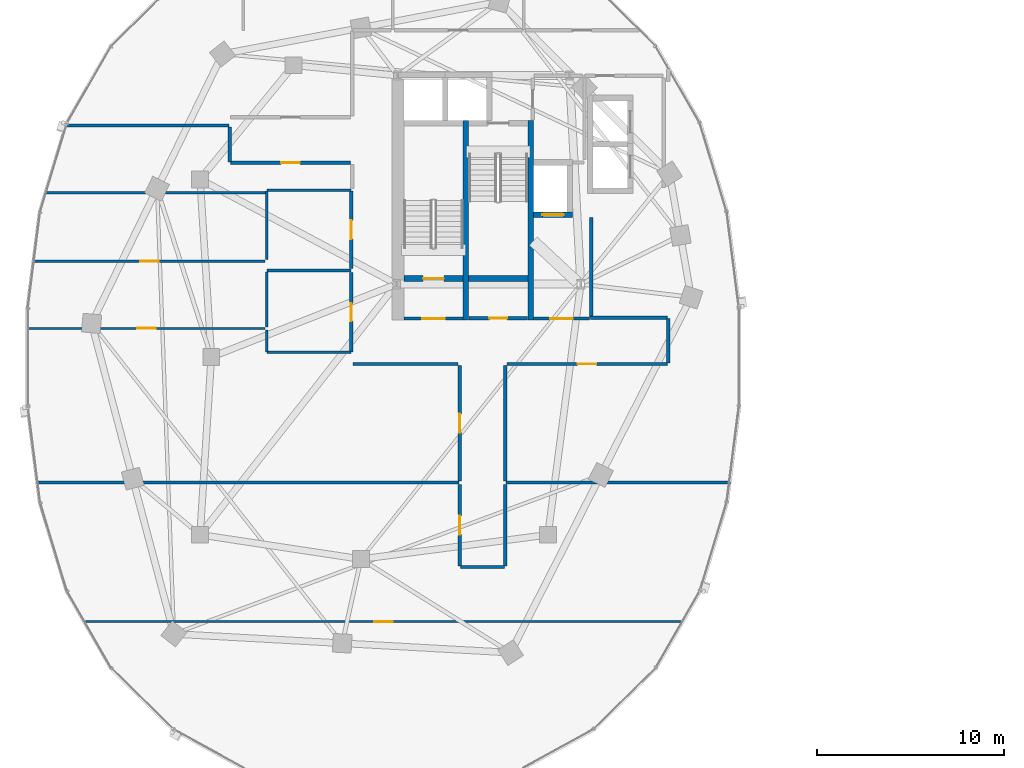
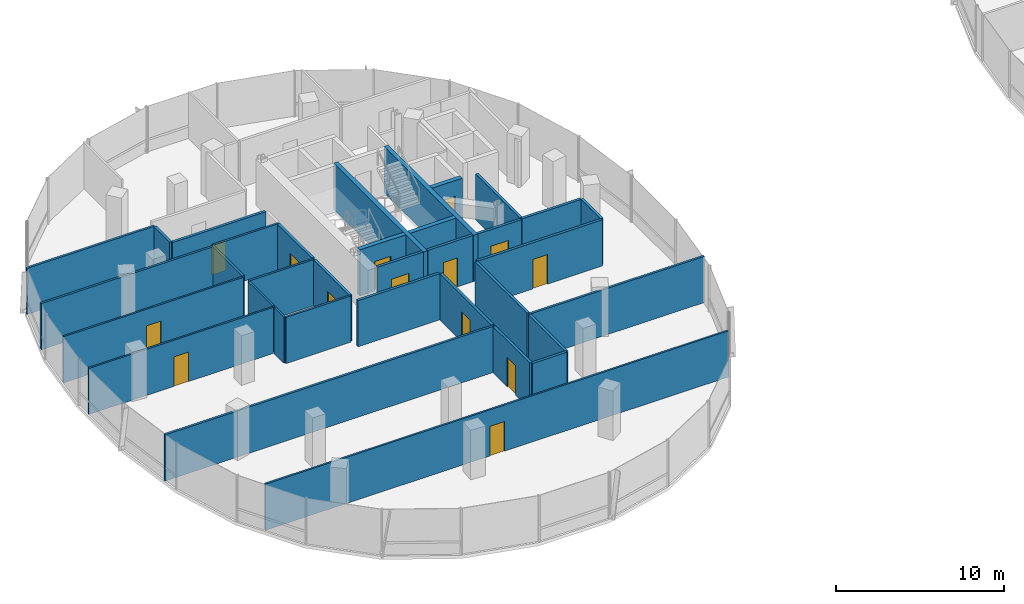
# One storey, part 12 of 23: 35 walls, 14 doors, 14 openings.
"""IFC4 building model written with IfcOpenShell, lengths in metres."""

from ifc_helpers import new_model, si_unit, direction, frame, frame_2d, origin, place, context, subcontext, project, spatial, rectangle, extrude, material, layer, layer_set, type_object, element, fill, save


model = new_model("IFC4")

# Units and contexts
model_context = context("Model", 3, precision=1e-05, world=origin(), true_north=direction((0.0, 1.0)))
body_context = subcontext(model_context, "Body", "Model", "MODEL_VIEW")
ifc_project = project(units=[si_unit("LENGTHUNIT", "METRE"), si_unit("AREAUNIT", "SQUARE_METRE"), si_unit("VOLUMEUNIT", "CUBIC_METRE"), si_unit("PLANEANGLEUNIT", "RADIAN"), si_unit("MASSUNIT", "GRAM", prefix="KILO"), si_unit("THERMODYNAMICTEMPERATUREUNIT", "KELVIN"), si_unit("POWERUNIT", "WATT")], contexts=[model_context])

# Site, building, storey
site_placement = place(None, origin())
site = spatial("IfcSite", under=ifc_project, at=site_placement, CompositionType="ELEMENT")
building_placement = place(site_placement, origin())
building = spatial("IfcBuilding", under=site, at=building_placement, Name="Cundina Bronze Exchange", CompositionType="ELEMENT")
storey_placement = place(building_placement, frame((0.0, 0.0, 176.39990234375)))
storey = spatial("IfcBuildingStorey", under=building, at=storey_placement, Name="L46", CompositionType="ELEMENT", Elevation=176.39990234375)

# Wall
ifc_material_1 = material(Name="Gypsum Fireboard Partition EI120")
ifc_layer_1 = layer(ifc_material_1, 0.179931640625, Name="Gypsum Fireboard Partition EI120")
ifc_layer_set_1 = layer_set([ifc_layer_1], Name="Gypsum Fireboard Partition EI120")
wall_type_1 = type_object("IfcWallType", Name="WL-COR-180", PredefinedType="PARTITIONING", material=ifc_layer_set_1)
wall_1_placement = place(storey_placement, frame((-20.889892578125, 2.14990234375, 0.0), z_axis=(0.0, 0.0, 1.0), x_axis=(0.0, 1.0, 0.0)))
element("IfcWall", 1, at=wall_1_placement, inside=storey, type_object=wall_type_1, Name="L46 W Firefighting Lobby Side Wall", PredefinedType="PARTITIONING", context=body_context, shape_type="SweptSolid", body=[
    extrude(rectangle(XDim=5.300048828125, YDim=0.179931640625, at=frame_2d((2.64990234375, 0.0))), origin(), (0.0, 0.0, 1.0), 3.360107421875),
])

# Wall, opening, door
wall_2_placement = place(storey_placement, frame((-23.97998046875, 2.06005859375, 0.0), z_axis=(0.0, 0.0, 1.0), x_axis=(1.0, 0.0, 0.0)))
wall_2 = element("IfcWall", 2, at=wall_2_placement, inside=storey, type_object=wall_type_1, Name="L46 W Firefighting Lobby Exit Wall", PredefinedType="PARTITIONING", context=body_context, shape_type="SweptSolid", body=[
    extrude(rectangle(XDim=3.0, YDim=0.179931640625, at=frame_2d((1.5, 0.0))), origin(), (0.0, 0.0, 1.0), 3.360107421875),
])
opening_1_placement = place(wall_2_placement, frame((0.89990234375, 0.0, 0.0)))
opening_1 = element("IfcOpeningElement", 3, at=opening_1_placement, cuts=wall_2, Name="Opening DF-01", PredefinedType="OPENING", context=body_context, shape_type="SweptSolid", body=[
    extrude(rectangle(XDim=1.199951171875, YDim=2.14990234375, at=frame_2d((0.60009765625, 1.074951171875))), frame((0.0, 0.099853515625, 0.0), z_axis=(0.0, -1.0, 0.0), x_axis=(1.0, 0.0, 0.0)), (0.0, 0.0, 1.0), 0.199951171875),
])
ifc_material_2 = material(Name="Steel ASTM A36 Painted", Category="steel")
door_type_1 = type_object("IfcDoorType", Name="DR-FFL-1200", OperationType="NOTDEFINED", PredefinedType="DOOR", material=ifc_material_2)
door_1_placement = place(opening_1_placement, origin())
door_1 = element("IfcDoor", 4, at=door_1_placement, inside=storey, type_object=door_type_1, Name="L46 W Firefighting Lobby Door", OperationType="SINGLE_SWING_RIGHT", OverallHeight=2.14990234375, OverallWidth=1.199951171875, PredefinedType="DOOR", context=body_context, shape_type="SweptSolid", body=[
    extrude(rectangle(XDim=1.199951171875, YDim=2.14990234375, at=frame_2d((0.60009765625, 1.074951171875))), frame((0.0, 0.02490234375, 0.0), z_axis=(0.0, -1.0, 0.0), x_axis=(1.0, 0.0, 0.0)), (0.0, 0.0, 1.0), 0.050048828125),
])
fill(opening_1, door_1)

wall_3_placement = place(storey_placement, frame((-30.89990234375, 2.06005859375, 0.0), z_axis=(0.0, 0.0, 1.0), x_axis=(1.0, 0.0, 0.0)))
wall_3 = element("IfcWall", 5, at=wall_3_placement, inside=storey, type_object=wall_type_1, Name="L46 W Stair Vestibule Exit Wall", PredefinedType="PARTITIONING", context=body_context, shape_type="SweptSolid", body=[
    extrude(rectangle(XDim=3.159912109375, YDim=0.179931640625, at=frame_2d((1.580078125, 0.0))), origin(), (0.0, 0.0, 1.0), 3.360107421875),
])
opening_2_placement = place(wall_3_placement, frame((0.97998046875, 0.0, 0.0)))
opening_2 = element("IfcOpeningElement", 6, at=opening_2_placement, cuts=wall_3, Name="Opening DF-01", PredefinedType="OPENING", context=body_context, shape_type="SweptSolid", body=[
    extrude(rectangle(XDim=1.199951171875, YDim=2.14990234375, at=frame_2d((0.60009765625, 1.074951171875))), frame((0.0, 0.099853515625, 0.0), z_axis=(0.0, -1.0, 0.0), x_axis=(1.0, 0.0, 0.0)), (0.0, 0.0, 1.0), 0.199951171875),
])
door_2_placement = place(opening_2_placement, origin())
door_2 = element("IfcDoor", 7, at=door_2_placement, inside=storey, type_object=door_type_1, Name="L46 W Stair Vestibule Door", OperationType="SINGLE_SWING_LEFT", OverallHeight=2.14990234375, OverallWidth=1.199951171875, PredefinedType="DOOR", context=body_context, shape_type="SweptSolid", body=[
    extrude(rectangle(XDim=1.199951171875, YDim=2.14990234375, at=frame_2d((0.60009765625, 1.074951171875))), frame((0.0, 0.02490234375, 0.0), z_axis=(0.0, -1.0, 0.0), x_axis=(1.0, 0.0, 0.0)), (0.0, 0.0, 1.0), 0.050048828125),
])
fill(opening_2, door_2)

wall_4_placement = place(storey_placement, frame((-27.419921875, 2.070068359375, 0.0), z_axis=(0.0, 0.0, 1.0), x_axis=(1.0, 0.0, 0.0)))
wall_4 = element("IfcWall", 8, at=wall_4_placement, inside=storey, type_object=wall_type_1, Name="L46 Interior Partition 007", PredefinedType="PARTITIONING", context=body_context, shape_type="SweptSolid", body=[
    extrude(rectangle(XDim=3.119873046875, YDim=0.179931640625, at=frame_2d((1.56005859375, 0.0))), origin(), (0.0, 0.0, 1.0), 3.360107421875),
])
opening_3_placement = place(wall_4_placement, frame((1.0849609375, 0.0, 0.0)))
opening_3 = element("IfcOpeningElement", 9, at=opening_3_placement, cuts=wall_4, Name="Opening DW-01", PredefinedType="OPENING", context=body_context, shape_type="SweptSolid", body=[
    extrude(rectangle(XDim=0.949951171875, YDim=2.10009765625, at=frame_2d((0.47509765625, 1.050048828125))), frame((0.0, 0.099853515625, 0.0), z_axis=(0.0, -1.0, 0.0), x_axis=(1.0, 0.0, 0.0)), (0.0, 0.0, 1.0), 0.199951171875),
])
ifc_material_3 = material(Name="Solid Andean Oak Timber Grade A", Category="wood")
door_type_2 = type_object("IfcDoorType", Name="DR-WC-950", OperationType="NOTDEFINED", PredefinedType="DOOR", material=ifc_material_3)
door_3_placement = place(opening_3_placement, origin())
door_3 = element("IfcDoor", 10, at=door_3_placement, inside=storey, type_object=door_type_2, Name="L46 Interior Door 007", OperationType="SINGLE_SWING_LEFT", OverallHeight=2.10009765625, OverallWidth=0.949951171875, PredefinedType="DOOR", context=body_context, shape_type="SweptSolid", body=[
    extrude(rectangle(XDim=0.949951171875, YDim=2.10009765625, at=frame_2d((0.47509765625, 1.050048828125))), frame((0.0, 0.02490234375, 0.0), z_axis=(0.0, -1.0, 0.0), x_axis=(1.0, 0.0, 0.0)), (0.0, 0.0, 1.0), 0.050048828125),
])
fill(opening_3, door_3)

wall_5_placement = place(storey_placement, frame((-33.719970703125, 0.27001953125, 0.0), z_axis=(0.0, 0.0, 1.0), x_axis=(0.0, 1.0, 0.0)))
wall_5 = element("IfcWall", 11, at=wall_5_placement, inside=storey, type_object=wall_type_1, Name="L46 Interior Partition 015", PredefinedType="PARTITIONING", context=body_context, shape_type="SweptSolid", body=[
    extrude(rectangle(XDim=4.260009765625, YDim=0.179931640625, at=frame_2d((2.1298828125, 0.0))), origin(), (0.0, 0.0, 1.0), 3.360107421875),
])
opening_4_placement = place(wall_5_placement, frame((1.655029296875, 0.0, 0.0)))
opening_4 = element("IfcOpeningElement", 12, at=opening_4_placement, cuts=wall_5, Name="Opening DW-01", PredefinedType="OPENING", context=body_context, shape_type="SweptSolid", body=[
    extrude(rectangle(XDim=0.949951171875, YDim=2.10009765625, at=frame_2d((0.47509765625, 1.050048828125))), frame((0.0, 0.099853515625, 0.0), z_axis=(0.0, -1.0, 0.0), x_axis=(1.0, 0.0, 0.0)), (0.0, 0.0, 1.0), 0.199951171875),
])
door_4_placement = place(opening_4_placement, origin())
door_4 = element("IfcDoor", 13, at=door_4_placement, inside=storey, type_object=door_type_2, Name="L46 Interior Door 015", OperationType="SINGLE_SWING_LEFT", OverallHeight=2.10009765625, OverallWidth=0.949951171875, PredefinedType="DOOR", context=body_context, shape_type="SweptSolid", body=[
    extrude(rectangle(XDim=0.949951171875, YDim=2.10009765625, at=frame_2d((0.47509765625, 1.050048828125))), frame((0.0, 0.02490234375, 0.0), z_axis=(0.0, -1.0, 0.0), x_axis=(1.0, 0.0, 0.0)), (0.0, 0.0, 1.0), 0.050048828125),
])
fill(opening_4, door_4)

wall_6_placement = place(storey_placement, frame((-33.719970703125, 4.72998046875, 0.0), z_axis=(0.0, 0.0, 1.0), x_axis=(0.0, 1.0, 0.0)))
wall_6 = element("IfcWall", 14, at=wall_6_placement, inside=storey, type_object=wall_type_1, Name="L46 Interior Partition 016", PredefinedType="PARTITIONING", context=body_context, shape_type="SweptSolid", body=[
    extrude(rectangle(XDim=4.159912109375, YDim=0.179931640625, at=frame_2d((2.080078125, 0.0))), origin(), (0.0, 0.0, 1.0), 3.360107421875),
])
opening_5_placement = place(wall_6_placement, frame((1.580078125, 0.0, 0.0)))
opening_5 = element("IfcOpeningElement", 15, at=opening_5_placement, cuts=wall_6, Name="Opening DO-01", PredefinedType="OPENING", context=body_context, shape_type="SweptSolid", body=[
    extrude(rectangle(XDim=1.0, YDim=2.14990234375, at=frame_2d((0.5, 1.074951171875))), frame((0.0, 0.099853515625, 0.0), z_axis=(0.0, -1.0, 0.0), x_axis=(1.0, 0.0, 0.0)), (0.0, 0.0, 1.0), 0.199951171875),
])
door_type_3 = type_object("IfcDoorType", Name="DR-OFF-1000", OperationType="NOTDEFINED", PredefinedType="DOOR", material=ifc_material_3)
door_5_placement = place(opening_5_placement, origin())
door_5 = element("IfcDoor", 16, at=door_5_placement, inside=storey, type_object=door_type_3, Name="L46 Interior Door 016", OperationType="SINGLE_SWING_LEFT", OverallHeight=2.14990234375, OverallWidth=1.0, PredefinedType="DOOR", context=body_context, shape_type="SweptSolid", body=[
    extrude(rectangle(XDim=1.0, YDim=2.14990234375, at=frame_2d((0.5, 1.074951171875))), frame((0.0, 0.02490234375, 0.0), z_axis=(0.0, -1.0, 0.0), x_axis=(1.0, 0.0, 0.0)), (0.0, 0.0, 1.0), 0.050048828125),
])
fill(opening_5, door_5)

wall_7_placement = place(storey_placement, frame((-27.919921875, -6.800048828125, 0.0), z_axis=(0.0, 0.0, 1.0), x_axis=(0.0, -1.0, 0.0)))
wall_7 = element("IfcWall", 17, at=wall_7_placement, inside=storey, type_object=wall_type_1, Name="L46 Interior Partition 024", PredefinedType="PARTITIONING", context=body_context, shape_type="SweptSolid", body=[
    extrude(rectangle(XDim=4.37841796875, YDim=0.179931640625, at=frame_2d((2.189208984375, 0.0))), origin(), (0.0, 0.0, 1.0), 3.360107421875),
])
opening_6_placement = place(wall_7_placement, frame((1.689208984375, 0.0, 0.0)))
opening_6 = element("IfcOpeningElement", 18, at=opening_6_placement, cuts=wall_7, Name="Opening DO-01", PredefinedType="OPENING", context=body_context, shape_type="SweptSolid", body=[
    extrude(rectangle(XDim=1.0, YDim=2.14990234375, at=frame_2d((0.5, 1.074951171875))), frame((0.0, 0.099853515625, 0.0), z_axis=(0.0, -1.0, 0.0), x_axis=(1.0, 0.0, 0.0)), (0.0, 0.0, 1.0), 0.199951171875),
])
door_6_placement = place(opening_6_placement, origin())
door_6 = element("IfcDoor", 19, at=door_6_placement, inside=storey, type_object=door_type_3, Name="L46 Interior Door 024", OperationType="SINGLE_SWING_RIGHT", OverallHeight=2.14990234375, OverallWidth=1.0, PredefinedType="DOOR", context=body_context, shape_type="SweptSolid", body=[
    extrude(rectangle(XDim=1.0, YDim=2.14990234375, at=frame_2d((0.5, 1.074951171875))), frame((0.0, 0.02490234375, 0.0), z_axis=(0.0, -1.0, 0.0), x_axis=(1.0, 0.0, 0.0)), (0.0, 0.0, 1.0), 0.050048828125),
])
fill(opening_6, door_6)

# Walls
wall_8_placement = place(storey_placement, frame((-25.47998046875, -11.178466796875, 0.0), z_axis=(0.0, 0.0, 1.0), x_axis=(0.0, 1.0, 0.0)))
element("IfcWall", 20, at=wall_8_placement, inside=storey, type_object=wall_type_1, Name="L46 Interior Partition 025", PredefinedType="PARTITIONING", context=body_context, shape_type="SweptSolid", body=[
    extrude(rectangle(XDim=4.37841796875, YDim=0.179931640625, at=frame_2d((2.189208984375, 0.0))), origin(), (0.0, 0.0, 1.0), 3.360107421875),
])
wall_9_placement = place(storey_placement, frame((-27.87841796875, -11.219970703125, 0.0), z_axis=(0.0, 0.0, 1.0), x_axis=(1.0, 0.0, 0.0)))
element("IfcWall", 21, at=wall_9_placement, inside=storey, type_object=wall_type_1, Name="L46 Interior Partition 026", PredefinedType="PARTITIONING", context=body_context, shape_type="SweptSolid", body=[
    extrude(rectangle(XDim=2.35693359375, YDim=0.179931640625, at=frame_2d((1.178466796875, 0.0))), origin(), (0.0, 0.0, 1.0), 3.360107421875),
])

# Wall, opening, door
wall_10_placement = place(storey_placement, frame((-27.919921875, -0.449951171875, 0.0), z_axis=(0.0, 0.0, 1.0), x_axis=(0.0, -1.0, 0.0)))
wall_10 = element("IfcWall", 22, at=wall_10_placement, inside=storey, type_object=wall_type_1, Name="L46 Interior Partition 027", PredefinedType="PARTITIONING", context=body_context, shape_type="SweptSolid", body=[
    extrude(rectangle(XDim=6.170166015625, YDim=0.179931640625, at=frame_2d((3.0849609375, 0.0))), origin(), (0.0, 0.0, 1.0), 3.360107421875),
])
opening_7_placement = place(wall_10_placement, frame((2.5849609375, 0.0, 0.0)))
opening_7 = element("IfcOpeningElement", 23, at=opening_7_placement, cuts=wall_10, Name="Opening DO-01", PredefinedType="OPENING", context=body_context, shape_type="SweptSolid", body=[
    extrude(rectangle(XDim=1.0, YDim=2.14990234375, at=frame_2d((0.5, 1.074951171875))), frame((0.0, 0.099853515625, 0.0), z_axis=(0.0, -1.0, 0.0), x_axis=(1.0, 0.0, 0.0)), (0.0, 0.0, 1.0), 0.199951171875),
])
door_7_placement = place(opening_7_placement, origin())
door_7 = element("IfcDoor", 24, at=door_7_placement, inside=storey, type_object=door_type_3, Name="L46 Interior Door 027", OperationType="SINGLE_SWING_RIGHT", OverallHeight=2.14990234375, OverallWidth=1.0, PredefinedType="DOOR", context=body_context, shape_type="SweptSolid", body=[
    extrude(rectangle(XDim=1.0, YDim=2.14990234375, at=frame_2d((0.5, 1.074951171875))), frame((0.0, 0.02490234375, 0.0), z_axis=(0.0, -1.0, 0.0), x_axis=(1.0, 0.0, 0.0)), (0.0, 0.0, 1.0), 0.050048828125),
])
fill(opening_7, door_7)

# Wall
wall_11_placement = place(storey_placement, frame((-33.62841796875, -0.3701171875, 0.0), z_axis=(0.0, 0.0, 1.0), x_axis=(1.0, 0.0, 0.0)))
element("IfcWall", 25, at=wall_11_placement, inside=storey, type_object=wall_type_1, Name="L46 Interior Partition 028", PredefinedType="PARTITIONING", context=body_context, shape_type="SweptSolid", body=[
    extrude(rectangle(XDim=5.62841796875, YDim=0.179931640625, at=frame_2d((2.814208984375, 0.0))), origin(), (0.0, 0.0, 1.0), 3.360107421875),
])

# Wall, opening, door
wall_12_placement = place(storey_placement, frame((-25.39990234375, -0.3701171875, 0.0), z_axis=(0.0, 0.0, 1.0), x_axis=(1.0, 0.0, 0.0)))
wall_12 = element("IfcWall", 26, at=wall_12_placement, inside=storey, type_object=wall_type_1, Name="L46 Interior Partition 029", PredefinedType="PARTITIONING", context=body_context, shape_type="SweptSolid", body=[
    extrude(rectangle(XDim=8.578369140625, YDim=0.179931640625, at=frame_2d((4.2890625, 0.0))), origin(), (0.0, 0.0, 1.0), 3.360107421875),
])
opening_8_placement = place(wall_12_placement, frame((3.789306640625, 0.0, 0.0)))
opening_8 = element("IfcOpeningElement", 27, at=opening_8_placement, cuts=wall_12, Name="Opening DO-01", PredefinedType="OPENING", context=body_context, shape_type="SweptSolid", body=[
    extrude(rectangle(XDim=1.0, YDim=2.14990234375, at=frame_2d((0.5, 1.074951171875))), frame((0.0, 0.099853515625, 0.0), z_axis=(0.0, -1.0, 0.0), x_axis=(1.0, 0.0, 0.0)), (0.0, 0.0, 1.0), 0.199951171875),
])
door_8_placement = place(opening_8_placement, origin())
door_8 = element("IfcDoor", 28, at=door_8_placement, inside=storey, type_object=door_type_3, Name="L46 Interior Door 029", OperationType="SINGLE_SWING_LEFT", OverallHeight=2.14990234375, OverallWidth=1.0, PredefinedType="DOOR", context=body_context, shape_type="SweptSolid", body=[
    extrude(rectangle(XDim=1.0, YDim=2.14990234375, at=frame_2d((0.5, 1.074951171875))), frame((0.0, 0.02490234375, 0.0), z_axis=(0.0, -1.0, 0.0), x_axis=(1.0, 0.0, 0.0)), (0.0, 0.0, 1.0), 0.050048828125),
])
fill(opening_8, door_8)

# Walls
wall_13_placement = place(storey_placement, frame((-25.47998046875, -6.6201171875, 0.0), z_axis=(0.0, 0.0, 1.0), x_axis=(0.0, 1.0, 0.0)))
element("IfcWall", 29, at=wall_13_placement, inside=storey, type_object=wall_type_1, Name="L46 Interior Partition 030", PredefinedType="PARTITIONING", context=body_context, shape_type="SweptSolid", body=[
    extrude(rectangle(XDim=6.170166015625, YDim=0.179931640625, at=frame_2d((3.0849609375, 0.0))), origin(), (0.0, 0.0, 1.0), 3.360107421875),
])
wall_14_placement = place(storey_placement, frame((-16.821533203125, 2.10009765625, 0.0), z_axis=(0.0, 0.0, 1.0), x_axis=(-1.0, 0.0, 0.0)))
element("IfcWall", 30, at=wall_14_placement, inside=storey, type_object=wall_type_1, Name="L46 Interior Partition 031", PredefinedType="PARTITIONING", context=body_context, shape_type="SweptSolid", body=[
    extrude(rectangle(XDim=4.098388671875, YDim=0.179931640625, at=frame_2d((2.04931640625, 0.0))), origin(), (0.0, 0.0, 1.0), 3.360107421875),
])
wall_15_placement = place(storey_placement, frame((-16.780029296875, -0.32861328125, 0.0), z_axis=(0.0, 0.0, 1.0), x_axis=(0.0, 1.0, 0.0)))
element("IfcWall", 31, at=wall_15_placement, inside=storey, type_object=wall_type_1, Name="L46 Interior Partition 032", PredefinedType="PARTITIONING", context=body_context, shape_type="SweptSolid", body=[
    extrude(rectangle(XDim=2.38720703125, YDim=0.179931640625, at=frame_2d((1.193603515625, 0.0))), origin(), (0.0, 0.0, 1.0), 3.360107421875),
])

# Wall, opening, door
wall_16_placement = place(storey_placement, frame((-40.178466796875, 10.3798828125, 0.0), z_axis=(0.0, 0.0, 1.0), x_axis=(1.0, 0.0, 0.0)))
wall_16 = element("IfcWall", 32, at=wall_16_placement, inside=storey, type_object=wall_type_1, Name="L46 Interior Partition 034", PredefinedType="PARTITIONING", context=body_context, shape_type="SweptSolid", body=[
    extrude(rectangle(XDim=6.428466796875, YDim=0.179931640625, at=frame_2d((3.21435546875, 0.0))), origin(), (0.0, 0.0, 1.0), 3.360107421875),
])
opening_9_placement = place(wall_16_placement, frame((2.714111328125, 0.0, 0.0)))
opening_9 = element("IfcOpeningElement", 33, at=opening_9_placement, cuts=wall_16, Name="Opening DO-01", PredefinedType="OPENING", context=body_context, shape_type="SweptSolid", body=[
    extrude(rectangle(XDim=1.0, YDim=2.14990234375, at=frame_2d((0.5, 1.074951171875))), frame((0.0, 0.099853515625, 0.0), z_axis=(0.0, -1.0, 0.0), x_axis=(1.0, 0.0, 0.0)), (0.0, 0.0, 1.0), 0.199951171875),
])
door_9_placement = place(opening_9_placement, origin())
door_9 = element("IfcDoor", 34, at=door_9_placement, inside=storey, type_object=door_type_3, Name="L46 Interior Door 034", OperationType="SINGLE_SWING_RIGHT", OverallHeight=2.14990234375, OverallWidth=1.0, PredefinedType="DOOR", context=body_context, shape_type="SweptSolid", body=[
    extrude(rectangle(XDim=1.0, YDim=2.14990234375, at=frame_2d((0.5, 1.074951171875))), frame((0.0, 0.02490234375, 0.0), z_axis=(0.0, -1.0, 0.0), x_axis=(1.0, 0.0, 0.0)), (0.0, 0.0, 1.0), 0.050048828125),
])
fill(opening_9, door_9)

# Wall
wall_17_placement = place(storey_placement, frame((-40.219970703125, 12.2900390625, 0.0), z_axis=(0.0, 0.0, 1.0), x_axis=(0.0, -1.0, 0.0)))
element("IfcWall", 35, at=wall_17_placement, inside=storey, type_object=wall_type_1, Name="L46 Interior Partition 035", PredefinedType="PARTITIONING", context=body_context, shape_type="SweptSolid", body=[
    extrude(rectangle(XDim=1.86865234375, YDim=0.179931640625, at=frame_2d((0.934326171875, 0.0))), origin(), (0.0, 0.0, 1.0), 3.360107421875),
])

# Wall, opening, door
ifc_material_4 = material(Name="Gypsum Acoustic Partition EI60")
ifc_layer_2 = layer(ifc_material_4, 0.125, Name="Gypsum Acoustic Partition EI60")
ifc_layer_set_2 = layer_set([ifc_layer_2], Name="Gypsum Acoustic Partition EI60")
wall_type_2 = type_object("IfcWallType", Name="WL-OFF-125", PredefinedType="PARTITIONING", material=ifc_layer_set_2)
wall_18_placement = place(storey_placement, frame((-47.929931640625, -14.139892578125, 0.0), z_axis=(0.0, 0.0, 1.0), x_axis=(1.0, 0.0, 0.0)))
wall_18 = element("IfcWall", 36, at=wall_18_placement, inside=storey, type_object=wall_type_2, Name="L46 Interior Partition 042", PredefinedType="PARTITIONING", context=body_context, shape_type="SweptSolid", body=[
    extrude(rectangle(XDim=31.85986328125, YDim=0.125, at=frame_2d((15.929931640625, 0.0))), origin(), (0.0, 0.0, 1.0), 3.360107421875),
])
opening_10_placement = place(wall_18_placement, frame((15.429931640625, 0.0, 0.0)))
opening_10 = element("IfcOpeningElement", 37, at=opening_10_placement, cuts=wall_18, Name="Opening DO-01", PredefinedType="OPENING", context=body_context, shape_type="SweptSolid", body=[
    extrude(rectangle(XDim=1.0, YDim=2.14990234375, at=frame_2d((0.5, 1.074951171875))), frame((0.0, 0.072509765625, 0.0), z_axis=(0.0, -1.0, 0.0), x_axis=(1.0, 0.0, 0.0)), (0.0, 0.0, 1.0), 0.14501953125),
])
door_10_placement = place(opening_10_placement, origin())
door_10 = element("IfcDoor", 38, at=door_10_placement, inside=storey, type_object=door_type_3, Name="L46 Interior Door 042", OperationType="SINGLE_SWING_RIGHT", OverallHeight=2.14990234375, OverallWidth=1.0, PredefinedType="DOOR", context=body_context, shape_type="SweptSolid", body=[
    extrude(rectangle(XDim=1.0, YDim=2.14990234375, at=frame_2d((0.5, 1.074951171875))), frame((0.0, 0.02490234375, 0.0), z_axis=(0.0, -1.0, 0.0), x_axis=(1.0, 0.0, 0.0)), (0.0, 0.0, 1.0), 0.050048828125),
])
fill(opening_10, door_10)

wall_19_placement = place(storey_placement, frame((-38.320068359375, 1.530029296875, 0.0), z_axis=(0.0, 0.0, 1.0), x_axis=(-1.0, 0.0, 0.0)))
wall_19 = element("IfcWall", 39, at=wall_19_placement, inside=storey, type_object=wall_type_2, Name="L46 Interior Partition 043", PredefinedType="PARTITIONING", context=body_context, shape_type="SweptSolid", body=[
    extrude(rectangle(XDim=12.701904296875, YDim=0.125, at=frame_2d((6.35107421875, 0.0))), origin(), (0.0, 0.0, 1.0), 3.360107421875),
])
opening_11_placement = place(wall_19_placement, frame((5.85107421875, 0.0, 0.0)))
opening_11 = element("IfcOpeningElement", 40, at=opening_11_placement, cuts=wall_19, Name="Opening DO-01", PredefinedType="OPENING", context=body_context, shape_type="SweptSolid", body=[
    extrude(rectangle(XDim=1.0, YDim=2.14990234375, at=frame_2d((0.5, 1.074951171875))), frame((0.0, 0.072509765625, 0.0), z_axis=(0.0, -1.0, 0.0), x_axis=(1.0, 0.0, 0.0)), (0.0, 0.0, 1.0), 0.14501953125),
])
door_11_placement = place(opening_11_placement, origin())
door_11 = element("IfcDoor", 41, at=door_11_placement, inside=storey, type_object=door_type_3, Name="L46 Interior Door 043", OperationType="SINGLE_SWING_RIGHT", OverallHeight=2.14990234375, OverallWidth=1.0, PredefinedType="DOOR", context=body_context, shape_type="SweptSolid", body=[
    extrude(rectangle(XDim=1.0, YDim=2.14990234375, at=frame_2d((0.5, 1.074951171875))), frame((0.0, 0.02490234375, 0.0), z_axis=(0.0, -1.0, 0.0), x_axis=(1.0, 0.0, 0.0)), (0.0, 0.0, 1.0), 0.050048828125),
])
fill(opening_11, door_11)

wall_20_placement = place(storey_placement, frame((-38.320068359375, 5.1298828125, 0.0), z_axis=(0.0, 0.0, 1.0), x_axis=(-1.0, 0.0, 0.0)))
wall_20 = element("IfcWall", 42, at=wall_20_placement, inside=storey, type_object=wall_type_2, Name="L46 Interior Partition 044", PredefinedType="PARTITIONING", context=body_context, shape_type="SweptSolid", body=[
    extrude(rectangle(XDim=12.36865234375, YDim=0.125, at=frame_2d((6.184326171875, 0.0))), origin(), (0.0, 0.0, 1.0), 3.360107421875),
])
opening_12_placement = place(wall_20_placement, frame((5.684326171875, 0.0, 0.0)))
opening_12 = element("IfcOpeningElement", 43, at=opening_12_placement, cuts=wall_20, Name="Opening DO-01", PredefinedType="OPENING", context=body_context, shape_type="SweptSolid", body=[
    extrude(rectangle(XDim=1.0, YDim=2.14990234375, at=frame_2d((0.5, 1.074951171875))), frame((0.0, 0.072509765625, 0.0), z_axis=(0.0, -1.0, 0.0), x_axis=(1.0, 0.0, 0.0)), (0.0, 0.0, 1.0), 0.14501953125),
])
door_12_placement = place(opening_12_placement, origin())
door_12 = element("IfcDoor", 44, at=door_12_placement, inside=storey, type_object=door_type_3, Name="L46 Interior Door 044", OperationType="SINGLE_SWING_RIGHT", OverallHeight=2.14990234375, OverallWidth=1.0, PredefinedType="DOOR", context=body_context, shape_type="SweptSolid", body=[
    extrude(rectangle(XDim=1.0, YDim=2.14990234375, at=frame_2d((0.5, 1.074951171875))), frame((0.0, 0.02490234375, 0.0), z_axis=(0.0, -1.0, 0.0), x_axis=(1.0, 0.0, 0.0)), (0.0, 0.0, 1.0), 0.050048828125),
])
fill(opening_12, door_12)

# Walls
ifc_material_5 = material(Name="Concrete C50/60", Category="concrete")
ifc_layer_3 = layer(ifc_material_5, 0.300048828125, Name="Concrete C50/60", Category="concrete")
ifc_layer_set_3 = layer_set([ifc_layer_3], Name="Concrete C50/60")
wall_type_3 = type_object("IfcWallType", Name="WL-SHFT-300", PredefinedType="SHEAR", material=ifc_layer_set_3)
for number, where, z_axis, x_axis, name in (
    (45, (-27.590087890625, 1.969970703125, 0.0), (0.0, 0.0, 1.0), (0.0, 1.0, 0.0), "L46 W Stair Shaft Dividing Shear Wall"),
    (46, (-24.1298828125, 1.969970703125, 0.0), (0.0, 0.0, 1.0), (0.0, 1.0, 0.0), "L46 W Stair 2 East Shear Wall"),
):
    element("IfcWall", number, at=place(storey_placement, frame(where, z_axis=z_axis, x_axis=x_axis)), inside=storey, type_object=wall_type_3, Name=name, PredefinedType="SHEAR", context=body_context, shape_type="SweptSolid", body=[
        extrude(rectangle(XDim=10.679931640625, YDim=0.300048828125, at=frame_2d((5.33984375, 0.0))), origin(), (0.0, 0.0, 1.0), 3.360107421875),
    ])

# Wall, opening, door
wall_21_placement = place(storey_placement, frame((-30.89990234375, 4.199951171875, 0.0), z_axis=(0.0, 0.0, 1.0), x_axis=(1.0, 0.0, 0.0)))
wall_21 = element("IfcWall", 47, at=wall_21_placement, inside=storey, type_object=wall_type_3, Name="L46 Stair W1 Landing Wall", PredefinedType="SHEAR", context=body_context, shape_type="SweptSolid", body=[
    extrude(rectangle(XDim=3.159912109375, YDim=0.300048828125, at=frame_2d((1.580078125, 0.0))), origin(), (0.0, 0.0, 1.0), 3.360107421875),
])
opening_13_placement = place(wall_21_placement, frame((1.030029296875, 0.0, 0.0)))
opening_13 = element("IfcOpeningElement", 48, at=opening_13_placement, cuts=wall_21, Name="Opening DS-01", PredefinedType="OPENING", context=body_context, shape_type="SweptSolid", body=[
    extrude(rectangle(XDim=1.10009765625, YDim=2.14990234375, at=frame_2d((0.550048828125, 1.074951171875))), frame((0.0, 0.159912109375, 0.0), z_axis=(0.0, -1.0, 0.0), x_axis=(1.0, 0.0, 0.0)), (0.0, 0.0, 1.0), 0.320068359375),
])
door_type_4 = type_object("IfcDoorType", Name="DR-STR-1100", OperationType="NOTDEFINED", PredefinedType="DOOR", material=ifc_material_2)
door_13_placement = place(opening_13_placement, origin())
door_13 = element("IfcDoor", 49, at=door_13_placement, inside=storey, type_object=door_type_4, Name="L46 Smokeproof Stair W1 Door", OperationType="SINGLE_SWING_RIGHT", OverallHeight=2.14990234375, OverallWidth=1.10009765625, PredefinedType="DOOR", context=body_context, shape_type="SweptSolid", body=[
    extrude(rectangle(XDim=1.10009765625, YDim=2.14990234375, at=frame_2d((0.550048828125, 1.074951171875))), frame((0.0, 0.02490234375, 0.0), z_axis=(0.0, -1.0, 0.0), x_axis=(1.0, 0.0, 0.0)), (0.0, 0.0, 1.0), 0.050048828125),
])
fill(opening_13, door_13)

# Wall
wall_22_placement = place(storey_placement, frame((-27.43994140625, 4.199951171875, 0.0), z_axis=(0.0, 0.0, 1.0), x_axis=(1.0, 0.0, 0.0)))
element("IfcWall", 50, at=wall_22_placement, inside=storey, type_object=wall_type_3, Name="L46 Stair W2 Far Shaft Wall", PredefinedType="SHEAR", context=body_context, shape_type="SweptSolid", body=[
    extrude(rectangle(XDim=3.159912109375, YDim=0.300048828125, at=frame_2d((1.580078125, 0.0))), origin(), (0.0, 0.0, 1.0), 3.360107421875),
])

# Wall, opening, door
wall_23_placement = place(storey_placement, frame((-23.97998046875, 7.60009765625, 0.0), z_axis=(0.0, 0.0, 1.0), x_axis=(1.0, 0.0, 0.0)))
wall_23 = element("IfcWall", 51, at=wall_23_placement, inside=storey, type_object=wall_type_3, Name="L46 FFL-W Hoistway Front Wall", PredefinedType="SHEAR", context=body_context, shape_type="SweptSolid", body=[
    extrude(rectangle(XDim=2.10009765625, YDim=0.300048828125, at=frame_2d((1.050048828125, 0.0))), origin(), (0.0, 0.0, 1.0), 3.360107421875),
])
opening_14_placement = place(wall_23_placement, frame((0.47509765625, 0.0, 0.0)))
opening_14 = element("IfcOpeningElement", 52, at=opening_14_placement, cuts=wall_23, Name="Opening LD-01", PredefinedType="OPENING", context=body_context, shape_type="SweptSolid", body=[
    extrude(rectangle(XDim=1.14990234375, YDim=2.199951171875, at=frame_2d((0.574951171875, 1.10009765625))), frame((0.0, 0.159912109375, 0.0), z_axis=(0.0, -1.0, 0.0), x_axis=(1.0, 0.0, 0.0)), (0.0, 0.0, 1.0), 0.320068359375),
])
door_type_5 = type_object("IfcDoorType", Name="DR-LND-1150", OperationType="NOTDEFINED", PredefinedType="TRAPDOOR", material=ifc_material_2)
door_14_placement = place(opening_14_placement, origin())
door_14 = element("IfcDoor", 53, at=door_14_placement, inside=storey, type_object=door_type_5, Name="L46 FFL-W Sliding Landing Door", OperationType="SLIDING_TO_LEFT", OverallHeight=2.199951171875, OverallWidth=1.14990234375, PredefinedType="TRAPDOOR", context=body_context, shape_type="SweptSolid", body=[
    extrude(rectangle(XDim=1.14990234375, YDim=2.199951171875, at=frame_2d((0.574951171875, 1.10009765625))), frame((0.0, 0.02490234375, 0.0), z_axis=(0.0, -1.0, 0.0), x_axis=(1.0, 0.0, 0.0)), (0.0, 0.0, 1.0), 0.050048828125),
])
fill(opening_14, door_14)

# Walls
ifc_layer_4 = layer(ifc_material_4, 0.14990234375, Name="Gypsum Acoustic Partition EI60")
ifc_layer_set_4 = layer_set([ifc_layer_4], Name="Gypsum Acoustic Partition EI60")
wall_type_4 = type_object("IfcWallType", Name="WL-TEN-150", PredefinedType="PARTITIONING", material=ifc_layer_set_4)
wall_24_placement = place(storey_placement, frame((-50.552978515625, -6.7099609375, 0.0), z_axis=(0.0, 0.0, 1.0), x_axis=(1.0, 0.0, 0.0)))
element("IfcWall", 54, at=wall_24_placement, inside=storey, type_object=wall_type_4, Name="L46 Interior Partition 017", PredefinedType="PARTITIONING", context=body_context, shape_type="SweptSolid", body=[
    extrude(rectangle(XDim=22.60302734375, YDim=0.14990234375, at=frame_2d((11.301513671875, 0.0))), origin(), (0.0, 0.0, 1.0), 3.360107421875),
])
wall_25_placement = place(storey_placement, frame((-25.449951171875, -6.7099609375, 0.0), z_axis=(0.0, 0.0, 1.0), x_axis=(1.0, 0.0, 0.0)))
element("IfcWall", 55, at=wall_25_placement, inside=storey, type_object=wall_type_4, Name="L46 Interior Partition 018", PredefinedType="PARTITIONING", context=body_context, shape_type="SweptSolid", body=[
    extrude(rectangle(XDim=12.0029296875, YDim=0.14990234375, at=frame_2d((6.00146484375, 0.0))), origin(), (0.0, 0.0, 1.0), 3.360107421875),
])
wall_26_placement = place(storey_placement, frame((-50.114990234375, 8.780029296875, 0.0), z_axis=(0.0, 0.0, 1.0), x_axis=(1.0, 0.0, 0.0)))
element("IfcWall", 56, at=wall_26_placement, inside=storey, type_object=wall_type_4, Name="L46 Interior Partition 019", PredefinedType="PARTITIONING", context=body_context, shape_type="SweptSolid", body=[
    extrude(rectangle(XDim=11.844970703125, YDim=0.14990234375, at=frame_2d((5.92236328125, 0.0))), origin(), (0.0, 0.0, 1.0), 3.360107421875),
])
wall_27_placement = place(storey_placement, frame((-49.02392578125, 12.3798828125, 0.0), z_axis=(0.0, 0.0, 1.0), x_axis=(1.0, 0.0, 0.0)))
element("IfcWall", 57, at=wall_27_placement, inside=storey, type_object=wall_type_4, Name="L46 Interior Partition 020", PredefinedType="PARTITIONING", context=body_context, shape_type="SweptSolid", body=[
    extrude(rectangle(XDim=8.77392578125, YDim=0.14990234375, at=frame_2d((4.386962890625, 0.0))), origin(), (0.0, 0.0, 1.0), 3.360107421875),
])
ifc_material_6 = material(Name="Moisture-Resistant Masonry Block Grade M15", Category="masonry")
ifc_layer_5 = layer(ifc_material_6, 0.139892578125, Name="Moisture-Resistant Masonry Block Grade M15", Category="masonry")
ifc_layer_set_5 = layer_set([ifc_layer_5], Name="Moisture-Resistant Masonry Block Grade M15")
wall_type_5 = type_object("IfcWallType", Name="WL-WET-140", PredefinedType="PARTITIONING", material=ifc_layer_set_5)
wall_28_placement = place(storey_placement, frame((-38.239990234375, 0.27001953125, 0.0), z_axis=(0.0, 0.0, 1.0), x_axis=(0.0, 1.0, 0.0)))
element("IfcWall", 58, at=wall_28_placement, inside=storey, type_object=wall_type_5, Name="L46 Interior Partition 009", PredefinedType="PARTITIONING", context=body_context, shape_type="SweptSolid", body=[
    extrude(rectangle(XDim=1.175048828125, YDim=0.139892578125, at=frame_2d((0.58740234375, 0.0))), origin(), (0.0, 0.0, 1.0), 3.360107421875),
])
wall_29_placement = place(storey_placement, frame((-38.239990234375, 1.614990234375, 0.0), z_axis=(0.0, 0.0, 1.0), x_axis=(0.0, 1.0, 0.0)))
element("IfcWall", 59, at=wall_29_placement, inside=storey, type_object=wall_type_5, Name="L46 Interior Partition 010", PredefinedType="PARTITIONING", context=body_context, shape_type="SweptSolid", body=[
    extrude(rectangle(XDim=2.929931640625, YDim=0.139892578125, at=frame_2d((1.46484375, 0.0))), origin(), (0.0, 0.0, 1.0), 3.360107421875),
])
wall_30_placement = place(storey_placement, frame((-38.239990234375, 5.215087890625, 0.0), z_axis=(0.0, 0.0, 1.0), x_axis=(0.0, 1.0, 0.0)))
element("IfcWall", 60, at=wall_30_placement, inside=storey, type_object=wall_type_5, Name="L46 Interior Partition 011", PredefinedType="PARTITIONING", context=body_context, shape_type="SweptSolid", body=[
    extrude(rectangle(XDim=3.6748046875, YDim=0.139892578125, at=frame_2d((1.83740234375, 0.0))), origin(), (0.0, 0.0, 1.0), 3.360107421875),
])
for number, where, z_axis, x_axis, name in (
    (61, (-38.219970703125, 0.25, 0.0), (0.0, 0.0, 1.0), (1.0, 0.0, 0.0), "L46 Interior Partition 012"),
    (62, (-38.219970703125, 4.6298828125, 0.0), (0.0, 0.0, 1.0), (1.0, 0.0, 0.0), "L46 Interior Partition 013"),
    (63, (-38.219970703125, 8.909912109375, 0.0), (0.0, 0.0, 1.0), (1.0, 0.0, 0.0), "L46 Interior Partition 014"),
):
    element("IfcWall", number, at=place(storey_placement, frame(where, z_axis=z_axis, x_axis=x_axis)), inside=storey, type_object=wall_type_5, Name=name, PredefinedType="PARTITIONING", context=body_context, shape_type="SweptSolid", body=[
        extrude(rectangle(XDim=4.47998046875, YDim=0.139892578125, at=frame_2d((2.239990234375, 0.0))), origin(), (0.0, 0.0, 1.0), 3.360107421875),
    ])

save(model, "model.ifc")
